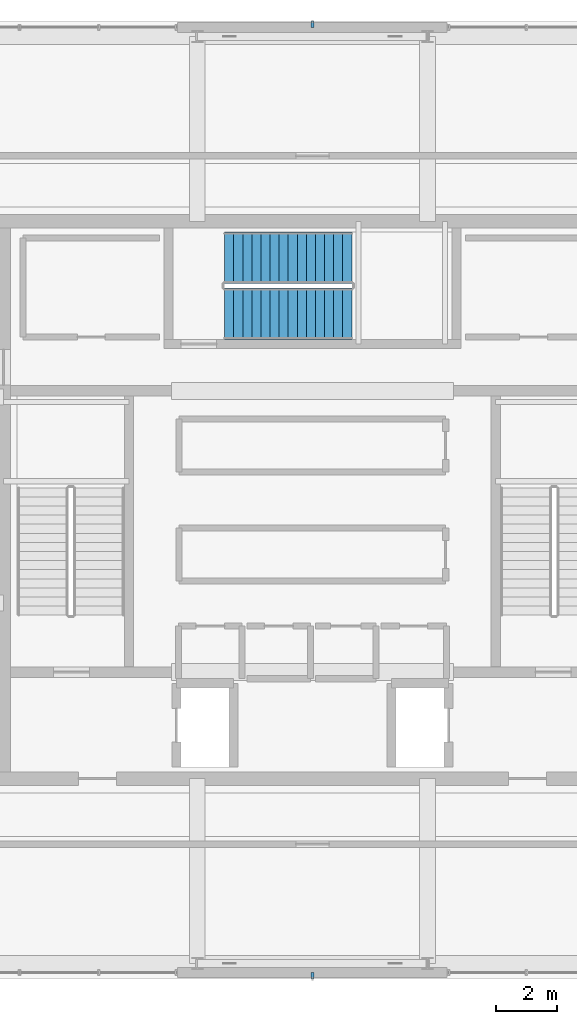
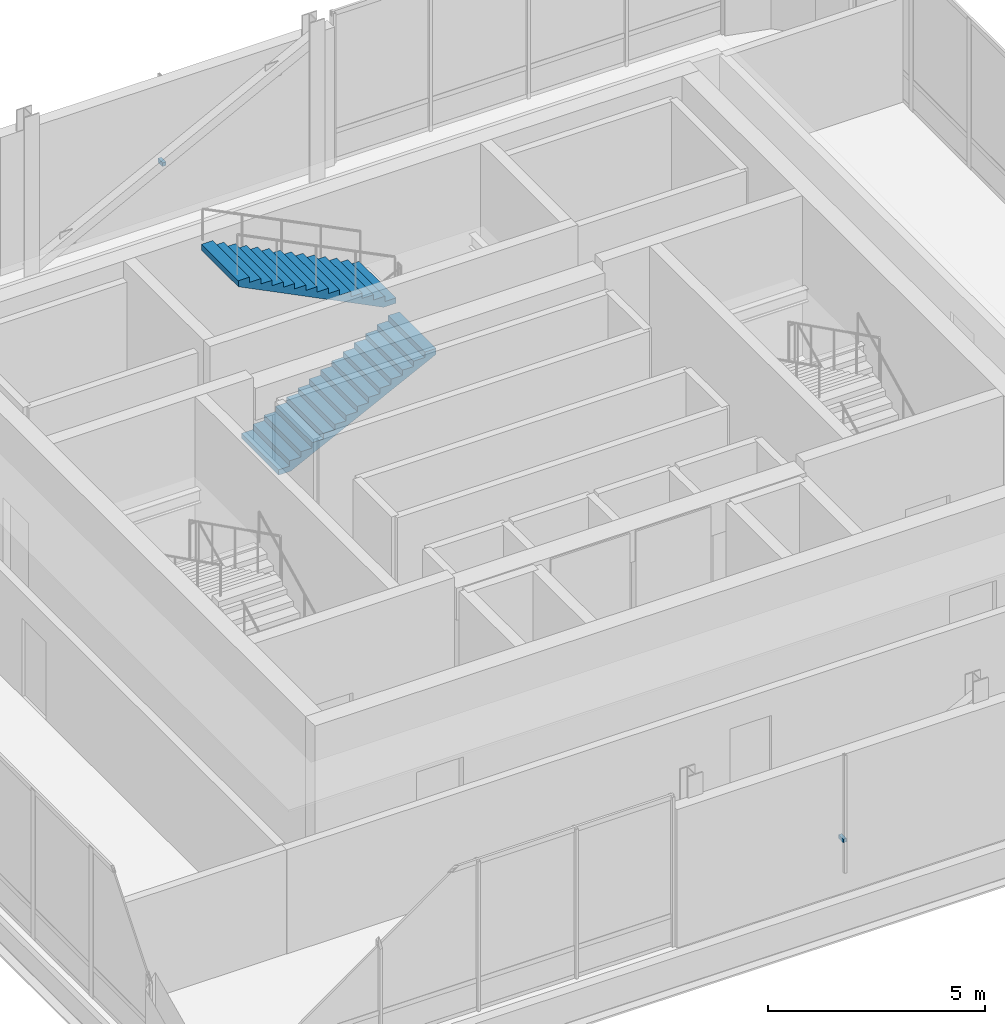
# One storey, part 22 of 25: 2 discrete accessories, 2 stair flights, 1 element without a shape of its own.
"""IFC4 building model written with IfcOpenShell, lengths in metres."""

from ifc_helpers import new_model, si_unit, direction, frame, origin, origin_2d, place, context, subcontext, project, spatial, polyline, rectangle, outline, extrude, material, type_object, element, aggregate, save


model = new_model("IFC4")

# Units and contexts
model_context = context("Model", 3, precision=1e-05, world=origin(), true_north=direction((0.0, 1.0)))
body_context = subcontext(model_context, "Body", "Model", "MODEL_VIEW")
ifc_project = project(units=[si_unit("LENGTHUNIT", "METRE"), si_unit("AREAUNIT", "SQUARE_METRE"), si_unit("VOLUMEUNIT", "CUBIC_METRE"), si_unit("PLANEANGLEUNIT", "RADIAN"), si_unit("MASSUNIT", "GRAM", prefix="KILO")], contexts=[model_context])

# Site, building, storey
site_placement = place(None, origin())
site = spatial("IfcSite", under=ifc_project, at=site_placement, CompositionType="ELEMENT")
building_placement = place(site_placement, origin())
building = spatial("IfcBuilding", under=site, at=building_placement, Name="Punatoya Terracotta Tower", CompositionType="ELEMENT")
storey_placement = place(building_placement, frame((0.0, 0.0, 357.300048828125)))
storey = spatial("IfcBuildingStorey", under=building, at=storey_placement, Name="L84", CompositionType="ELEMENT", Elevation=357.300048828125)

# Stair, stair flights
ifc_material_1 = material(Name="Concrete C40/50", Category="concrete")
stair_type = type_object("IfcStairType", Name="STR-TER-1450", PredefinedType="HALF_TURN_STAIR", material=ifc_material_1)
stair_placement = place(storey_placement, origin())
stair = element("IfcStair", 1, at=stair_placement, inside=storey, type_object=stair_type, Name="L84 Protected Core Exit Stair ST-3", PredefinedType="HALF_TURN_STAIR")
stair_flight_type = type_object("IfcStairFlightType", Name="SFL-TER-1450", PredefinedType="STRAIGHT", material=ifc_material_1)
stair_flight_1_placement = place(storey_placement, frame((-2.89990234375, 6.14990234375, 0.0), z_axis=(0.0, 0.0, 1.0), x_axis=(1.0, 0.0, 0.0)))
stair_flight_1 = element("IfcStairFlight", 2, at=stair_flight_1_placement, type_object=stair_flight_type, Name="ST-3 flight 1", NumberOfRisers=15, NumberOfTreads=14, PredefinedType="STRAIGHT", RiserHeight=0.15, TreadLength=0.3, context=body_context, shape_type="SweptSolid", body=[
    extrude(outline(polyline([(0.0, 0.0), (0.0, 0.14990234375), (0.300048828125, 0.14990234375), (0.300048828125, 0.300048828125), (0.60009765625, 0.300048828125), (0.60009765625, 0.449951171875), (0.89990234375, 0.449951171875), (0.89990234375, 0.60009765625), (1.199951171875, 0.60009765625), (1.199951171875, 0.75), (1.5, 0.75), (1.5, 0.89990234375), (1.800048828125, 0.89990234375), (1.800048828125, 1.050048828125), (2.10009765625, 1.050048828125), (2.10009765625, 1.199951171875), (2.39990234375, 1.199951171875), (2.39990234375, 1.35009765625), (2.699951171875, 1.35009765625), (2.699951171875, 1.5), (3.0, 1.5), (3.0, 1.64990234375), (3.300048828125, 1.64990234375), (3.300048828125, 1.800048828125), (3.60009765625, 1.800048828125), (3.60009765625, 1.949951171875), (3.89990234375, 1.949951171875), (3.89990234375, 2.10009765625), (4.199951171875, 2.10009765625), (4.199951171875, 2.25), (4.199951171875, 1.932373046875), (0.335205078125, 0.0), (0.0, 0.0)])), frame((0.0, 0.85009765625, 0.0), z_axis=(0.0, -1.0, 0.0), x_axis=(1.0, 0.0, 0.0)), (0.0, 0.0, 1.0), 1.699951171875),
])
stair_flight_2_placement = place(storey_placement, frame((1.300048828125, 8.0, 2.25), z_axis=(0.0, 0.0, 1.0), x_axis=(-1.0, 0.0, 0.0)))
stair_flight_2 = element("IfcStairFlight", 3, at=stair_flight_2_placement, type_object=stair_flight_type, Name="ST-3 flight 2", NumberOfRisers=15, NumberOfTreads=14, PredefinedType="STRAIGHT", RiserHeight=0.15, TreadLength=0.3, context=body_context, shape_type="SweptSolid", body=[
    extrude(outline(polyline([(0.0, 0.0), (0.0, 0.14990234375), (0.300048828125, 0.14990234375), (0.300048828125, 0.300048828125), (0.60009765625, 0.300048828125), (0.60009765625, 0.449951171875), (0.89990234375, 0.449951171875), (0.89990234375, 0.60009765625), (1.199951171875, 0.60009765625), (1.199951171875, 0.75), (1.5, 0.75), (1.5, 0.89990234375), (1.800048828125, 0.89990234375), (1.800048828125, 1.050048828125), (2.10009765625, 1.050048828125), (2.10009765625, 1.199951171875), (2.39990234375, 1.199951171875), (2.39990234375, 1.35009765625), (2.699951171875, 1.35009765625), (2.699951171875, 1.5), (3.0, 1.5), (3.0, 1.64990234375), (3.300048828125, 1.64990234375), (3.300048828125, 1.800048828125), (3.60009765625, 1.800048828125), (3.60009765625, 1.949951171875), (3.89990234375, 1.949951171875), (3.89990234375, 2.10009765625), (4.199951171875, 2.10009765625), (4.199951171875, 2.25), (4.199951171875, 1.932373046875), (0.335205078125, 0.0), (0.0, 0.0)])), frame((0.0, 0.85009765625, 0.0), z_axis=(0.0, -1.0, 0.0), x_axis=(1.0, 0.0, 0.0)), (0.0, 0.0, 1.0), 1.699951171875),
])
aggregate(stair, [stair_flight_1, stair_flight_2])

# Discrete accessories
ifc_material_2 = material(Name="Steel S355", Category="steel")
discrete_accessory_type = type_object("IfcDiscreteAccessoryType", Name="ACC-BRK-220", PredefinedType="BRACKET", material=ifc_material_2)
for number, where, z_axis, x_axis, name in (
    (4, (0.0, -15.699951171875, 1.449951171875), (0.0, 0.0, 1.0), (1.0, 0.0, 0.0), "L84 Jali Fin Support Bracket S1"),
    (5, (0.0, 15.699951171875, 1.449951171875), (0.0, 0.0, 1.0), (-1.0, 0.0, 0.0), "L84 Jali Fin Support Bracket N1"),
):
    element("IfcDiscreteAccessory", number, at=place(storey_placement, frame(where, z_axis=z_axis, x_axis=x_axis)), inside=storey, type_object=discrete_accessory_type, Name=name, PredefinedType="BRACKET", context=body_context, shape_type="SweptSolid", body=[
        extrude(rectangle(XDim=0.090087890625, YDim=0.219970703125, at=origin_2d()), origin(), (0.0, 0.0, 1.0), 0.10009765625),
    ])

save(model, "model.ifc")
